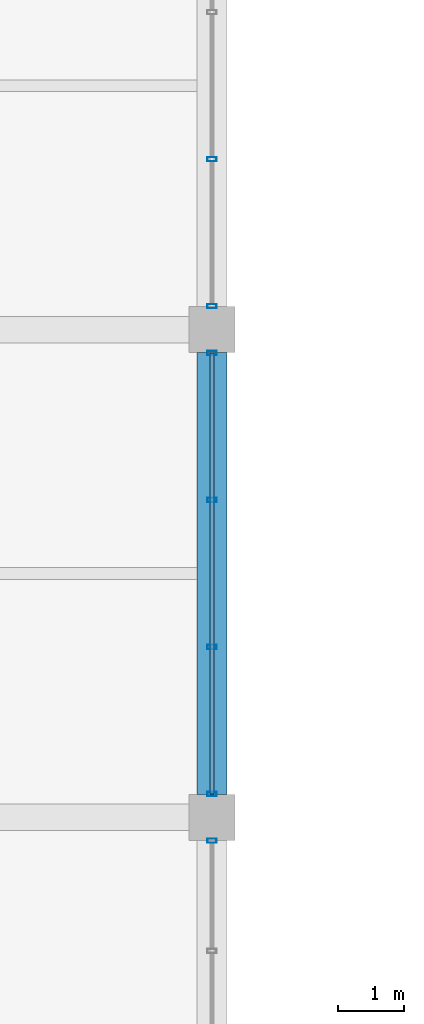
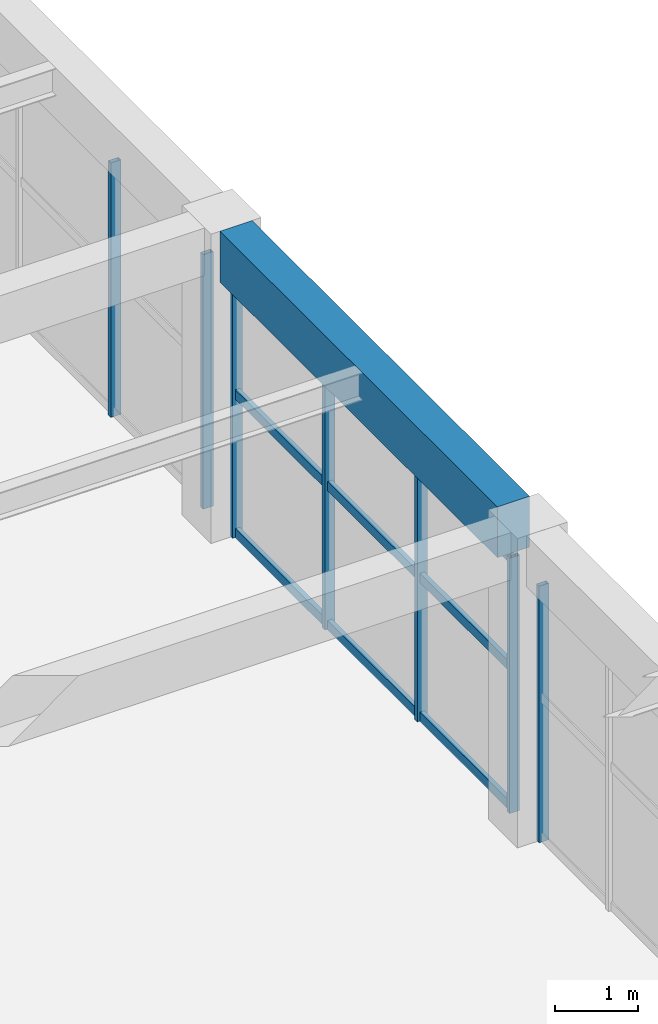
# One storey, part 80 of 161: 10 members, 1 beam, 3 elements without a shape of their own.
"""IFC4 building model written with IfcOpenShell, lengths in metres."""

import ifcopenshell
import ifcopenshell.guid

model = None  # the IFC model being written
_history = None  # IfcOwnerHistory: only IFC2X3 demands one
_inside = {}  # id of a spatial element -> (the spatial element, [elements in it])
_under = {}  # id of a project, library or spatial element -> (it, [spatial elements below it])
_declared = {}  # id of a project -> (the project, [libraries it declares])
_typed = {}  # id of a type object -> (the type object, [elements of that type])
_made_of = {}  # id of a material, layer set ... -> (it, [elements and type objects made of it])


def new_model(schema):
    """Start an empty IFC model of exactly this schema.

    Asked for "IFC4X3", IfcOpenShell would pick the latest addendum, in which some entities
    have other attributes; the version numbers below select the first issue.
    IFC2X3 requires an IfcOwnerHistory on every rooted entity: one is made here for all.
    """
    global model, _history
    if schema == "IFC4X3":
        model = ifcopenshell.file(schema_version=(4, 3, 0, 0))
    else:
        model = ifcopenshell.file(schema=schema)
    _inside.clear()
    _under.clear()
    _declared.clear()
    _typed.clear()
    _made_of.clear()
    _history = None
    if model.schema == "IFC2X3":
        org = make("IfcOrganization", Name="unknown")
        user = make(
            "IfcPersonAndOrganization",
            ThePerson=make("IfcPerson", FamilyName="unknown"),
            TheOrganization=org,
        )
        app = make(
            "IfcApplication",
            ApplicationDeveloper=org,
            Version="unknown",
            ApplicationFullName="unknown",
            ApplicationIdentifier="unknown",
        )
        _history = make(
            "IfcOwnerHistory",
            OwningUser=user,
            OwningApplication=app,
            ChangeAction="ADDED",
            CreationDate=0,
        )
    return model


def make(cls, **values):
    """One entity of the class cls with the attributes given. An attribute that is None is left unset."""
    return model.create_entity(
        cls, **{name: value for name, value in values.items() if value is not None}
    )


def rooted(cls, **values):
    """An entity with a GlobalId (a new one), such as an element, a storey or a relation."""
    return make(cls, GlobalId=ifcopenshell.guid.new(), OwnerHistory=_history, **values)


def si_unit(unit_type, name, prefix=None):
    """IfcSIUnit, for example si_unit("LENGTHUNIT", "METRE", prefix="MILLI")."""
    return make("IfcSIUnit", UnitType=unit_type, Prefix=prefix, Name=name)


def assignment(units):
    """IfcUnitAssignment: the units of a project."""
    return None if units is None else make("IfcUnitAssignment", Units=units)


def point(xyz):
    """IfcCartesianPoint."""
    return None if xyz is None else make("IfcCartesianPoint", Coordinates=xyz)


def direction(xyz):
    """IfcDirection."""
    return None if xyz is None else make("IfcDirection", DirectionRatios=xyz)


def frame(location, z_axis=None, x_axis=None):
    """IfcAxis2Placement3D, a coordinate frame: its origin and axes. An axis left out is left unset."""
    return make(
        "IfcAxis2Placement3D",
        Location=point(location),
        Axis=direction(z_axis),
        RefDirection=direction(x_axis),
    )


def frame_2d(location, x_axis=None):
    """IfcAxis2Placement2D, a coordinate frame in the plane: its origin and x axis."""
    return make(
        "IfcAxis2Placement2D", Location=point(location), RefDirection=direction(x_axis)
    )


def origin():
    """The frame at (0, 0, 0) with its axes left unset."""
    return frame((0.0, 0.0, 0.0))


def origin_2d():
    """The frame at (0, 0) in the plane with its x axis left unset."""
    return frame_2d((0.0, 0.0))


def place(relative_to, where):
    """IfcLocalPlacement: puts the frame where relative to a parent placement (None: the world)."""
    return make(
        "IfcLocalPlacement", PlacementRelTo=relative_to, RelativePlacement=where
    )


def context(
    kind, dimensions, precision=None, world=None, true_north=None, identifier=None
):
    """IfcGeometricRepresentationContext, for example the 3D "Model" context."""
    return make(
        "IfcGeometricRepresentationContext",
        ContextIdentifier=identifier,
        ContextType=kind,
        CoordinateSpaceDimension=dimensions,
        Precision=precision,
        WorldCoordinateSystem=world,
        TrueNorth=true_north,
    )


def subcontext(parent, identifier, kind, view, scale=None):
    """IfcGeometricRepresentationSubContext, for example "Body" below "Model"."""
    return make(
        "IfcGeometricRepresentationSubContext",
        ContextIdentifier=identifier,
        ContextType=kind,
        ParentContext=parent,
        TargetScale=scale,
        TargetView=view,
    )


def project(units=None, contexts=None):
    """IfcProject with its units and contexts."""
    return rooted(
        "IfcProject",
        Name="project",
        RepresentationContexts=contexts,
        UnitsInContext=assignment(units),
    )


def spatial(cls, under=None, at=None, **own):
    """A site, building, storey or space (cls), placed at a placement, below another one or the project."""
    s = rooted(cls, ObjectPlacement=at, **own)
    if under is not None:
        _under.setdefault(under.id(), (under, []))[1].append(s)
    return s


def profile(cls, at=None, kind="AREA", **sizes):
    """A parametric profile (cls). Its sizes go by their IFC names, for example OverallWidth=200.0."""
    return make(cls, ProfileType=kind, Position=at, **sizes)


def rectangle(**sizes):
    """IfcRectangleProfileDef."""
    return profile("IfcRectangleProfileDef", **sizes)


def hollow_rectangle(**sizes):
    """IfcRectangleHollowProfileDef."""
    return profile("IfcRectangleHollowProfileDef", **sizes)


def extrude(swept, where, along, depth):
    """IfcExtrudedAreaSolid: the profile swept, set in the frame where, extruded along a direction by depth."""
    return make(
        "IfcExtrudedAreaSolid",
        SweptArea=swept,
        Position=where,
        ExtrudedDirection=direction(along),
        Depth=depth,
    )


def shape(context_of_items, identifier, shape_type, items):
    """IfcShapeRepresentation: the items that make up one representation, for example the "Body"."""
    return make(
        "IfcShapeRepresentation",
        ContextOfItems=context_of_items,
        RepresentationIdentifier=identifier,
        RepresentationType=shape_type,
        Items=items,
    )


def material(Name=None, Category=None):
    """IfcMaterial."""
    return make("IfcMaterial", Name=Name, Category=Category)


def material_profile(
    of_material, cross_section, Name=None, Category=None, Priority=None
):
    """IfcMaterialProfile: a cross section and its material."""
    return make(
        "IfcMaterialProfile",
        Name=Name,
        Material=of_material,
        Profile=cross_section,
        Priority=Priority,
        Category=Category,
    )


def profile_set(profiles, Name=None, composite=None):
    """IfcMaterialProfileSet."""
    return make(
        "IfcMaterialProfileSet",
        Name=Name,
        MaterialProfiles=profiles,
        CompositeProfile=composite,
    )


def made_of(thing, what):
    """Note that an element or type object is made of a material, layer set ...; save() writes the relation."""
    if what is not None:
        _made_of.setdefault(what.id(), (what, []))[1].append(thing)
    return thing


def type_object(cls, material=None, **own):
    """A type object (cls), such as IfcWallType, which elements share."""
    return made_of(rooted(cls, **own), material)


def element(
    cls,
    number,
    at=None,
    inside=None,
    cuts=None,
    type_object=None,
    material=None,
    context=None,
    identifier="Body",
    shape_type=None,
    held_by="IfcProductDefinitionShape",
    body=None,
    shapes=None,
    **own,
):
    """One element of the class cls, such as IfcWall. Its Tag is "e" and its number.

    at: its placement. inside: the storey or other place that contains it. cuts: it is an
    opening in that element (IfcRelVoidsElement). A single representation is given by context,
    identifier, shape_type and body (its items); several are given by shapes. held_by: the class
    of the entity that holds the representations. save() writes the other relations.
    """
    e = rooted(cls, Tag="e%d" % number, ObjectPlacement=at, **own)
    if body is not None:
        shapes = [shape(context, identifier, shape_type, body)]
    if shapes is not None:
        e.Representation = make(held_by, Representations=shapes)
    if inside is not None:
        _inside.setdefault(inside.id(), (inside, []))[1].append(e)
    if cuts is not None:
        rooted(
            "IfcRelVoidsElement", RelatingBuildingElement=cuts, RelatedOpeningElement=e
        )
    if type_object is not None:
        _typed.setdefault(type_object.id(), (type_object, []))[1].append(e)
    return made_of(e, material)


def aggregate(whole, parts):
    """IfcRelAggregates: a whole, such as a stair, and the parts it consists of."""
    return rooted("IfcRelAggregates", RelatingObject=whole, RelatedObjects=parts)


def save(model, path):
    """Write the relations noted so far, then the file.

    IfcRelAggregates (storeys below a building ...), IfcRelContainedInSpatialStructure (elements
    in a storey), IfcRelDefinesByType, IfcRelAssociatesMaterial and IfcRelDeclares: one each for
    every whole, place, type object, material and project.
    """
    for whole, parts in _under.values():
        aggregate(whole, parts)
    for where, things in _inside.values():
        rooted(
            "IfcRelContainedInSpatialStructure",
            RelatedElements=things,
            RelatingStructure=where,
        )
    for kind, things in _typed.values():
        rooted("IfcRelDefinesByType", RelatedObjects=things, RelatingType=kind)
    for what, things in _made_of.values():
        rooted("IfcRelAssociatesMaterial", RelatedObjects=things, RelatingMaterial=what)
    for by, libraries in _declared.values():
        rooted("IfcRelDeclares", RelatingContext=by, RelatedDefinitions=libraries)
    model.write(path)


model = new_model("IFC4")

# Units and contexts
model_context = context("Model", 3, precision=1e-05, world=origin(), true_north=direction((0.0, 1.0)))
body_context = subcontext(model_context, "Body", "Model", "MODEL_VIEW")
ifc_project = project(units=[si_unit("LENGTHUNIT", "METRE"), si_unit("AREAUNIT", "SQUARE_METRE"), si_unit("VOLUMEUNIT", "CUBIC_METRE"), si_unit("PLANEANGLEUNIT", "RADIAN"), si_unit("MASSUNIT", "GRAM", prefix="KILO")], contexts=[model_context])

# Site, building, storey
site_placement = place(None, origin())
site = spatial("IfcSite", under=ifc_project, at=site_placement, CompositionType="ELEMENT")
building_placement = place(site_placement, origin())
building = spatial("IfcBuilding", under=site, at=building_placement, Name="Cimatlan Art Gallery", CompositionType="ELEMENT")
storey_placement = place(building_placement, frame((0.0, 0.0, 5.39990234375)))
storey = spatial("IfcBuildingStorey", under=building, at=storey_placement, Name="L01", CompositionType="ELEMENT", Elevation=5.39990234375)

# Beam
ifc_material_1 = material(Name="Concrete C40/50", Category="concrete")
ifc_material_profile_1 = material_profile(ifc_material_1, rectangle(XDim=0.449951171875, YDim=0.75, at=origin_2d()), Name="RC450X750")
ifc_profile_set_1 = profile_set([ifc_material_profile_1], Name="Concrete C40/50")
beam_type = type_object("IfcBeamType", Name="BM-RC-450X750", PredefinedType="BEAM", material=ifc_profile_set_1)
beam_placement = place(storey_placement, frame((50.60009765625, 83.449951171875, 4.18505859375), z_axis=(0.0, 1.0, 0.0), x_axis=(-1.0, 0.0, 0.0)))
element("IfcBeam", 1, at=beam_placement, inside=storey, type_object=beam_type, Name="BM-Y-L01-06-11", PredefinedType="BEAM", context=body_context, shape_type="SweptSolid", body=[
    extrude(rectangle(XDim=0.449951171875, YDim=0.75, at=origin_2d()), origin(), (0.0, 0.0, 1.0), 6.699951171875),
])

# Curtain wall, member
ifc_material_2 = material(Name="Anodised bronze unitised curtain wall")
curtain_wall_type_1 = type_object("IfcCurtainWallType", Name="CW-V-06692X03780-B4", PredefinedType="NOTDEFINED", material=ifc_material_2)
curtain_wall_1_placement = place(storey_placement, origin())
curtain_wall_1 = element("IfcCurtainWall", 2, at=curtain_wall_1_placement, inside=storey, type_object=curtain_wall_type_1, Name="CW-L01-05-10-E", PredefinedType="NOTDEFINED")
ifc_material_3 = material(Name="Anodised bronze aluminium 6063-T6", Category="aluminium")
ifc_material_profile_2 = material_profile(ifc_material_3, hollow_rectangle(XDim=0.06494140625, YDim=0.139892578125, WallThickness=0.00390625, at=origin_2d()), Name="ALU65X140X4")
ifc_profile_set_2 = profile_set([ifc_material_profile_2], Name="Anodised bronze aluminium 6063-T6")
member_type_1 = type_object("IfcMemberType", Name="CW-MUL-140", PredefinedType="MULLION", material=ifc_profile_set_2)
member_1_placement = place(storey_placement, frame((50.60009765625, 82.74609375, 0.0), z_axis=(0.0, 0.0, 1.0), x_axis=(0.0, 1.0, 0.0)))
member_1 = element("IfcMember", 3, at=member_1_placement, type_object=member_type_1, Name="CW-L01-05-10-E-M1", PredefinedType="MULLION", context=body_context, shape_type="SweptSolid", body=[
    extrude(hollow_rectangle(XDim=0.06494140625, YDim=0.139892578125, WallThickness=0.00390625, at=origin_2d()), origin(), (0.0, 0.0, 1.0), 3.780029296875),
])
aggregate(curtain_wall_1, [member_1])

# Curtain wall, members
curtain_wall_type_2 = type_object("IfcCurtainWallType", Name="CW-V-06692X03765-B3", PredefinedType="NOTDEFINED", material=ifc_material_2)
curtain_wall_2_placement = place(storey_placement, origin())
curtain_wall_2 = element("IfcCurtainWall", 4, at=curtain_wall_2_placement, inside=storey, type_object=curtain_wall_type_2, Name="CW-L01-05-11-E", PredefinedType="NOTDEFINED")
member_2_placement = place(storey_placement, frame((50.60009765625, 90.14599609375, 0.0), z_axis=(0.0, 0.0, 1.0), x_axis=(0.0, 1.0, 0.0)))
member_2 = element("IfcMember", 5, at=member_2_placement, type_object=member_type_1, Name="CW-L01-05-11-E-M1", PredefinedType="MULLION", context=body_context, shape_type="SweptSolid", body=[
    extrude(hollow_rectangle(XDim=0.06494140625, YDim=0.139892578125, WallThickness=0.00390625, at=origin_2d()), origin(), (0.0, 0.0, 1.0), 3.76513671875),
])
member_3_placement = place(storey_placement, frame((50.60009765625, 87.915283203125, 0.0), z_axis=(0.0, 0.0, 1.0), x_axis=(0.0, 1.0, 0.0)))
member_3 = element("IfcMember", 6, at=member_3_placement, type_object=member_type_1, Name="CW-L01-05-11-E-M2", PredefinedType="MULLION", context=body_context, shape_type="SweptSolid", body=[
    extrude(hollow_rectangle(XDim=0.06494140625, YDim=0.139892578125, WallThickness=0.00390625, at=origin_2d()), origin(), (0.0, 0.0, 1.0), 3.76513671875),
])
member_4_placement = place(storey_placement, frame((50.60009765625, 85.6845703125, 0.0), z_axis=(0.0, 0.0, 1.0), x_axis=(0.0, 1.0, 0.0)))
member_4 = element("IfcMember", 7, at=member_4_placement, type_object=member_type_1, Name="CW-L01-05-11-E-M3", PredefinedType="MULLION", context=body_context, shape_type="SweptSolid", body=[
    extrude(hollow_rectangle(XDim=0.06494140625, YDim=0.139892578125, WallThickness=0.00390625, at=origin_2d()), origin(), (0.0, 0.0, 1.0), 3.76513671875),
])
member_5_placement = place(storey_placement, frame((50.60009765625, 83.4541015625, 0.0), z_axis=(0.0, 0.0, 1.0), x_axis=(0.0, 1.0, 0.0)))
member_5 = element("IfcMember", 8, at=member_5_placement, type_object=member_type_1, Name="CW-L01-05-11-E-M4", PredefinedType="MULLION", context=body_context, shape_type="SweptSolid", body=[
    extrude(hollow_rectangle(XDim=0.06494140625, YDim=0.139892578125, WallThickness=0.00390625, at=origin_2d()), origin(), (0.0, 0.0, 1.0), 3.76513671875),
])

curtain_wall_type_3 = type_object("IfcCurtainWallType", Name="CW-V-06692X03750-B3", PredefinedType="NOTDEFINED", material=ifc_material_2)
curtain_wall_3_placement = place(storey_placement, origin())
curtain_wall_3 = element("IfcCurtainWall", 9, at=curtain_wall_3_placement, inside=storey, type_object=curtain_wall_type_3, Name="CW-L01-05-12-E", PredefinedType="NOTDEFINED")
member_6_placement = place(storey_placement, frame((50.60009765625, 93.084716796875, 0.0), z_axis=(0.0, 0.0, 1.0), x_axis=(0.0, 1.0, 0.0)))
member_6 = element("IfcMember", 10, at=member_6_placement, type_object=member_type_1, Name="CW-L01-05-12-E-M3", PredefinedType="MULLION", context=body_context, shape_type="SweptSolid", body=[
    extrude(hollow_rectangle(XDim=0.06494140625, YDim=0.139892578125, WallThickness=0.00390625, at=origin_2d()), origin(), (0.0, 0.0, 1.0), 3.75),
])
member_7_placement = place(storey_placement, frame((50.60009765625, 90.85400390625, 0.0), z_axis=(0.0, 0.0, 1.0), x_axis=(0.0, 1.0, 0.0)))
member_7 = element("IfcMember", 11, at=member_7_placement, type_object=member_type_1, Name="CW-L01-05-12-E-M4", PredefinedType="MULLION", context=body_context, shape_type="SweptSolid", body=[
    extrude(hollow_rectangle(XDim=0.06494140625, YDim=0.139892578125, WallThickness=0.00390625, at=origin_2d()), origin(), (0.0, 0.0, 1.0), 3.75),
])
aggregate(curtain_wall_3, [member_6, member_7])

# Member
ifc_material_profile_3 = material_profile(ifc_material_3, hollow_rectangle(XDim=0.06494140625, YDim=0.139892578125, WallThickness=0.00390625, at=origin_2d()), Name="ALU65X140X4")
ifc_profile_set_3 = profile_set([ifc_material_profile_3], Name="Anodised bronze aluminium 6063-T6")
member_type_2 = type_object("IfcMemberType", Name="CW-TRN-140", PredefinedType="USERDEFINED", material=ifc_profile_set_3)
member_8_placement = place(storey_placement, frame((50.60009765625, 90.14599609375, 0.06005859375), z_axis=(0.0, -1.0, 0.0), x_axis=(1.0, 0.0, 0.0)))
member_8 = element("IfcMember", 12, at=member_8_placement, type_object=member_type_2, Name="CW-L01-05-11-E-T1", ObjectType="TRANSOM", PredefinedType="USERDEFINED", context=body_context, shape_type="SweptSolid", body=[
    extrude(hollow_rectangle(XDim=0.06494140625, YDim=0.139892578125, WallThickness=0.00390625, at=origin_2d()), origin(), (0.0, 0.0, 1.0), 6.69189453125),
])

member_9_placement = place(storey_placement, frame((50.60009765625, 90.14599609375, 2.1083984375), z_axis=(0.0, -1.0, 0.0), x_axis=(1.0, 0.0, 0.0)))
member_9 = element("IfcMember", 13, at=member_9_placement, type_object=member_type_2, Name="CW-L01-05-11-E-T2", ObjectType="TRANSOM", PredefinedType="USERDEFINED", context=body_context, shape_type="SweptSolid", body=[
    extrude(hollow_rectangle(XDim=0.06494140625, YDim=0.139892578125, WallThickness=0.00390625, at=origin_2d()), origin(), (0.0, 0.0, 1.0), 6.69189453125),
])

member_10_placement = place(storey_placement, frame((50.60009765625, 90.14599609375, 3.705078125), z_axis=(0.0, -1.0, 0.0), x_axis=(1.0, 0.0, 0.0)))
member_10 = element("IfcMember", 14, at=member_10_placement, type_object=member_type_2, Name="CW-L01-05-11-E-T3", ObjectType="TRANSOM", PredefinedType="USERDEFINED", context=body_context, shape_type="SweptSolid", body=[
    extrude(hollow_rectangle(XDim=0.06494140625, YDim=0.139892578125, WallThickness=0.00390625, at=origin_2d()), origin(), (0.0, 0.0, 1.0), 6.69189453125),
])

aggregate(curtain_wall_2, [member_2, member_3, member_4, member_5, member_8, member_9, member_10])

save(model, "model.ifc")
